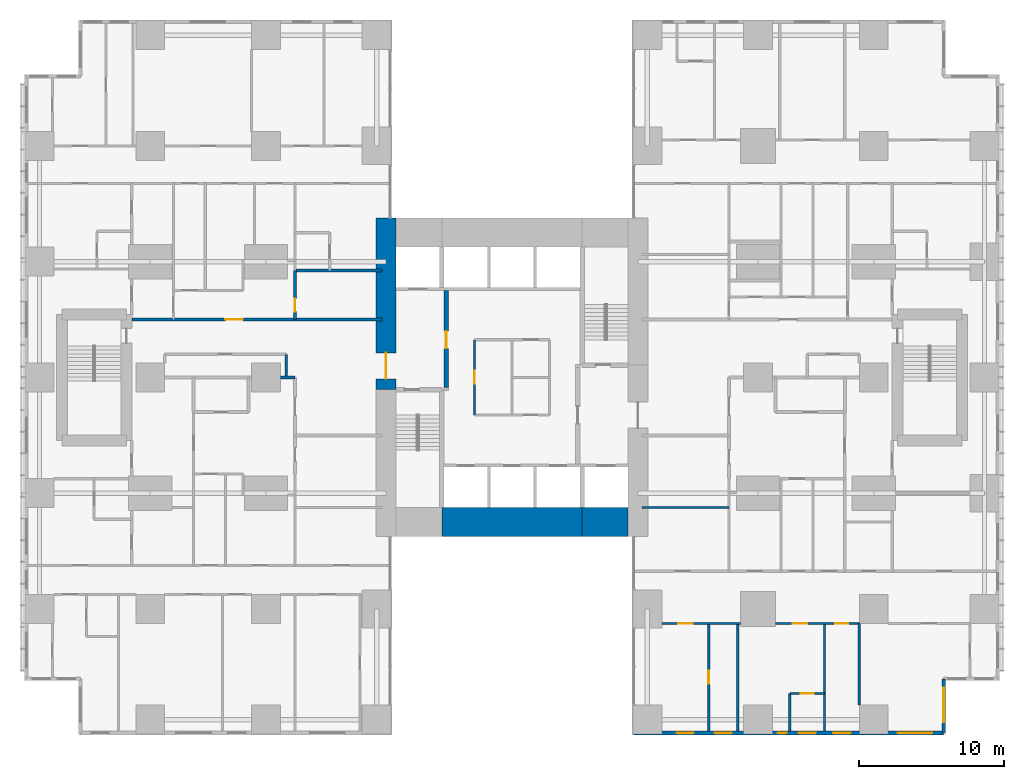
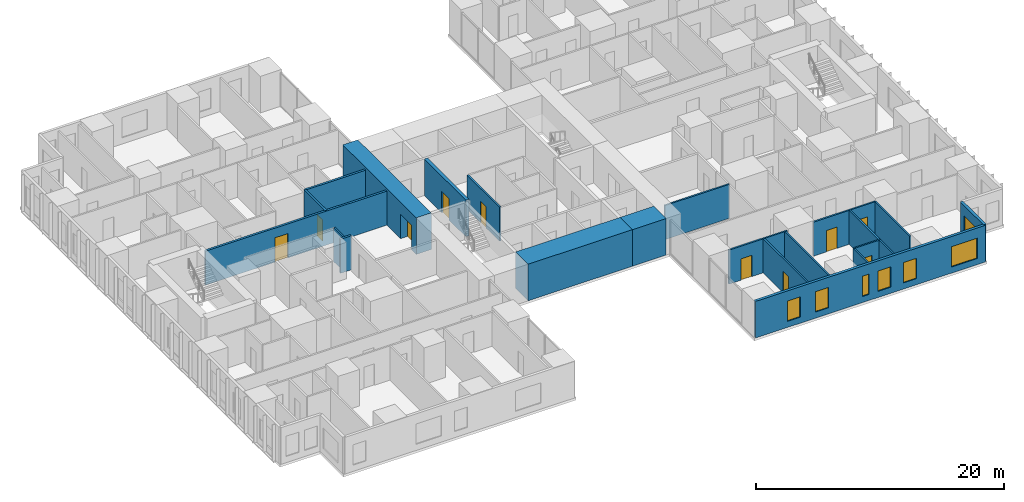
# One storey, part 14 of 20: 21 walls, 10 doors, 7 windows, 17 openings.
"""IFC4 building model written with IfcOpenShell, lengths in metres."""

import ifcopenshell
import ifcopenshell.guid

model = None  # the IFC model being written
_history = None  # IfcOwnerHistory: only IFC2X3 demands one
_inside = {}  # id of a spatial element -> (the spatial element, [elements in it])
_under = {}  # id of a project, library or spatial element -> (it, [spatial elements below it])
_declared = {}  # id of a project -> (the project, [libraries it declares])
_typed = {}  # id of a type object -> (the type object, [elements of that type])
_made_of = {}  # id of a material, layer set ... -> (it, [elements and type objects made of it])


def new_model(schema):
    """Start an empty IFC model of exactly this schema.

    Asked for "IFC4X3", IfcOpenShell would pick the latest addendum, in which some entities
    have other attributes; the version numbers below select the first issue.
    IFC2X3 requires an IfcOwnerHistory on every rooted entity: one is made here for all.
    """
    global model, _history
    if schema == "IFC4X3":
        model = ifcopenshell.file(schema_version=(4, 3, 0, 0))
    else:
        model = ifcopenshell.file(schema=schema)
    _inside.clear()
    _under.clear()
    _declared.clear()
    _typed.clear()
    _made_of.clear()
    _history = None
    if model.schema == "IFC2X3":
        org = make("IfcOrganization", Name="unknown")
        user = make(
            "IfcPersonAndOrganization",
            ThePerson=make("IfcPerson", FamilyName="unknown"),
            TheOrganization=org,
        )
        app = make(
            "IfcApplication",
            ApplicationDeveloper=org,
            Version="unknown",
            ApplicationFullName="unknown",
            ApplicationIdentifier="unknown",
        )
        _history = make(
            "IfcOwnerHistory",
            OwningUser=user,
            OwningApplication=app,
            ChangeAction="ADDED",
            CreationDate=0,
        )
    return model


def make(cls, **values):
    """One entity of the class cls with the attributes given. An attribute that is None is left unset."""
    return model.create_entity(
        cls, **{name: value for name, value in values.items() if value is not None}
    )


def rooted(cls, **values):
    """An entity with a GlobalId (a new one), such as an element, a storey or a relation."""
    return make(cls, GlobalId=ifcopenshell.guid.new(), OwnerHistory=_history, **values)


def si_unit(unit_type, name, prefix=None):
    """IfcSIUnit, for example si_unit("LENGTHUNIT", "METRE", prefix="MILLI")."""
    return make("IfcSIUnit", UnitType=unit_type, Prefix=prefix, Name=name)


def assignment(units):
    """IfcUnitAssignment: the units of a project."""
    return None if units is None else make("IfcUnitAssignment", Units=units)


def point(xyz):
    """IfcCartesianPoint."""
    return None if xyz is None else make("IfcCartesianPoint", Coordinates=xyz)


def direction(xyz):
    """IfcDirection."""
    return None if xyz is None else make("IfcDirection", DirectionRatios=xyz)


def frame(location, z_axis=None, x_axis=None):
    """IfcAxis2Placement3D, a coordinate frame: its origin and axes. An axis left out is left unset."""
    return make(
        "IfcAxis2Placement3D",
        Location=point(location),
        Axis=direction(z_axis),
        RefDirection=direction(x_axis),
    )


def frame_2d(location, x_axis=None):
    """IfcAxis2Placement2D, a coordinate frame in the plane: its origin and x axis."""
    return make(
        "IfcAxis2Placement2D", Location=point(location), RefDirection=direction(x_axis)
    )


def origin():
    """The frame at (0, 0, 0) with its axes left unset."""
    return frame((0.0, 0.0, 0.0))


def place(relative_to, where):
    """IfcLocalPlacement: puts the frame where relative to a parent placement (None: the world)."""
    return make(
        "IfcLocalPlacement", PlacementRelTo=relative_to, RelativePlacement=where
    )


def context(
    kind, dimensions, precision=None, world=None, true_north=None, identifier=None
):
    """IfcGeometricRepresentationContext, for example the 3D "Model" context."""
    return make(
        "IfcGeometricRepresentationContext",
        ContextIdentifier=identifier,
        ContextType=kind,
        CoordinateSpaceDimension=dimensions,
        Precision=precision,
        WorldCoordinateSystem=world,
        TrueNorth=true_north,
    )


def subcontext(parent, identifier, kind, view, scale=None):
    """IfcGeometricRepresentationSubContext, for example "Body" below "Model"."""
    return make(
        "IfcGeometricRepresentationSubContext",
        ContextIdentifier=identifier,
        ContextType=kind,
        ParentContext=parent,
        TargetScale=scale,
        TargetView=view,
    )


def project(units=None, contexts=None):
    """IfcProject with its units and contexts."""
    return rooted(
        "IfcProject",
        Name="project",
        RepresentationContexts=contexts,
        UnitsInContext=assignment(units),
    )


def spatial(cls, under=None, at=None, **own):
    """A site, building, storey or space (cls), placed at a placement, below another one or the project."""
    s = rooted(cls, ObjectPlacement=at, **own)
    if under is not None:
        _under.setdefault(under.id(), (under, []))[1].append(s)
    return s


def profile(cls, at=None, kind="AREA", **sizes):
    """A parametric profile (cls). Its sizes go by their IFC names, for example OverallWidth=200.0."""
    return make(cls, ProfileType=kind, Position=at, **sizes)


def rectangle(**sizes):
    """IfcRectangleProfileDef."""
    return profile("IfcRectangleProfileDef", **sizes)


def extrude(swept, where, along, depth):
    """IfcExtrudedAreaSolid: the profile swept, set in the frame where, extruded along a direction by depth."""
    return make(
        "IfcExtrudedAreaSolid",
        SweptArea=swept,
        Position=where,
        ExtrudedDirection=direction(along),
        Depth=depth,
    )


def shape(context_of_items, identifier, shape_type, items):
    """IfcShapeRepresentation: the items that make up one representation, for example the "Body"."""
    return make(
        "IfcShapeRepresentation",
        ContextOfItems=context_of_items,
        RepresentationIdentifier=identifier,
        RepresentationType=shape_type,
        Items=items,
    )


def material(Name=None, Category=None):
    """IfcMaterial."""
    return make("IfcMaterial", Name=Name, Category=Category)


def layer(
    of_material, thickness, ventilated=None, Name=None, Category=None, Priority=None
):
    """IfcMaterialLayer: one layer of a wall or slab, of a material (None: an air gap)."""
    return make(
        "IfcMaterialLayer",
        Material=of_material,
        LayerThickness=thickness,
        IsVentilated=ventilated,
        Name=Name,
        Category=Category,
        Priority=Priority,
    )


def layer_set(layers, Name=None):
    """IfcMaterialLayerSet."""
    return make("IfcMaterialLayerSet", MaterialLayers=layers, LayerSetName=Name)


def made_of(thing, what):
    """Note that an element or type object is made of a material, layer set ...; save() writes the relation."""
    if what is not None:
        _made_of.setdefault(what.id(), (what, []))[1].append(thing)
    return thing


def type_object(cls, material=None, **own):
    """A type object (cls), such as IfcWallType, which elements share."""
    return made_of(rooted(cls, **own), material)


def element(
    cls,
    number,
    at=None,
    inside=None,
    cuts=None,
    type_object=None,
    material=None,
    context=None,
    identifier="Body",
    shape_type=None,
    held_by="IfcProductDefinitionShape",
    body=None,
    shapes=None,
    **own,
):
    """One element of the class cls, such as IfcWall. Its Tag is "e" and its number.

    at: its placement. inside: the storey or other place that contains it. cuts: it is an
    opening in that element (IfcRelVoidsElement). A single representation is given by context,
    identifier, shape_type and body (its items); several are given by shapes. held_by: the class
    of the entity that holds the representations. save() writes the other relations.
    """
    e = rooted(cls, Tag="e%d" % number, ObjectPlacement=at, **own)
    if body is not None:
        shapes = [shape(context, identifier, shape_type, body)]
    if shapes is not None:
        e.Representation = make(held_by, Representations=shapes)
    if inside is not None:
        _inside.setdefault(inside.id(), (inside, []))[1].append(e)
    if cuts is not None:
        rooted(
            "IfcRelVoidsElement", RelatingBuildingElement=cuts, RelatedOpeningElement=e
        )
    if type_object is not None:
        _typed.setdefault(type_object.id(), (type_object, []))[1].append(e)
    return made_of(e, material)


def fill(opening, filler):
    """IfcRelFillsElement: the door or window that sits in an opening."""
    return rooted(
        "IfcRelFillsElement",
        RelatingOpeningElement=opening,
        RelatedBuildingElement=filler,
    )


def aggregate(whole, parts):
    """IfcRelAggregates: a whole, such as a stair, and the parts it consists of."""
    return rooted("IfcRelAggregates", RelatingObject=whole, RelatedObjects=parts)


def save(model, path):
    """Write the relations noted so far, then the file.

    IfcRelAggregates (storeys below a building ...), IfcRelContainedInSpatialStructure (elements
    in a storey), IfcRelDefinesByType, IfcRelAssociatesMaterial and IfcRelDeclares: one each for
    every whole, place, type object, material and project.
    """
    for whole, parts in _under.values():
        aggregate(whole, parts)
    for where, things in _inside.values():
        rooted(
            "IfcRelContainedInSpatialStructure",
            RelatedElements=things,
            RelatingStructure=where,
        )
    for kind, things in _typed.values():
        rooted("IfcRelDefinesByType", RelatedObjects=things, RelatingType=kind)
    for what, things in _made_of.values():
        rooted("IfcRelAssociatesMaterial", RelatedObjects=things, RelatingMaterial=what)
    for by, libraries in _declared.values():
        rooted("IfcRelDeclares", RelatingContext=by, RelatedDefinitions=libraries)
    model.write(path)


model = new_model("IFC4")

# Units and contexts
model_context = context("Model", 3, precision=1e-05, world=origin(), true_north=direction((0.0, 1.0)))
body_context = subcontext(model_context, "Body", "Model", "MODEL_VIEW")
ifc_project = project(units=[si_unit("LENGTHUNIT", "METRE"), si_unit("AREAUNIT", "SQUARE_METRE"), si_unit("VOLUMEUNIT", "CUBIC_METRE"), si_unit("PLANEANGLEUNIT", "RADIAN"), si_unit("MASSUNIT", "GRAM", prefix="KILO")], contexts=[model_context])

# Site, building, storey
site_placement = place(None, origin())
site = spatial("IfcSite", under=ifc_project, at=site_placement, CompositionType="ELEMENT")
building_placement = place(site_placement, origin())
building = spatial("IfcBuilding", under=site, at=building_placement, Name="Cleftline Residences", CompositionType="ELEMENT")
storey_placement = place(building_placement, frame((0.0, 0.0, 72.800048828125)))
storey = spatial("IfcBuildingStorey", under=building, at=storey_placement, Name="L18", CompositionType="ELEMENT", Elevation=72.800048828125)

# Wall, opening, door
ifc_material_1 = material(Name="Concrete B70", Category="concrete")
ifc_layer_1 = layer(ifc_material_1, 1.39990234375)
ifc_layer_set_1 = layer_set([ifc_layer_1], Name="CORE WALL 1400")
wall_type_1 = type_object("IfcWallType", Name="CORE WALL 1400", PredefinedType="SHEAR", material=ifc_layer_set_1)
wall_1_placement = place(storey_placement, frame((24.300048828125, 23.14990234375, 0.0), z_axis=(0.0, 0.0, 1.0), x_axis=(0.0, 1.0, 0.0)))
wall_1 = element("IfcWall", 1, at=wall_1_placement, inside=storey, type_object=wall_type_1, Name="Core wall W", PredefinedType="SHEAR", context=body_context, shape_type="SweptSolid", body=[
    extrude(rectangle(XDim=11.85009765625, YDim=1.39990234375, at=frame_2d((5.925048828125, 0.0))), origin(), (0.0, 0.0, 1.0), 3.599853515625),
])
opening_1_placement = place(wall_1_placement, frame((0.75, 0.0, 0.0)))
opening_1 = element("IfcOpeningElement", 2, at=opening_1_placement, cuts=wall_1, Name="Opening D7", PredefinedType="OPENING", context=body_context, shape_type="SweptSolid", body=[
    extrude(rectangle(XDim=1.800048828125, YDim=2.39990234375, at=frame_2d((0.89990234375, 1.199951171875))), frame((0.0, 0.7099609375, 0.0), z_axis=(0.0, -1.0, 0.0), x_axis=(1.0, 0.0, 0.0)), (0.0, 0.0, 1.0), 1.419921875),
])
ifc_material_2 = material(Name="Steel", Category="steel")
door_type_1 = type_object("IfcDoorType", Name="WING DOOR 1800X2400", OperationType="DOUBLE_DOOR_DOUBLE_SWING", PredefinedType="DOOR", material=ifc_material_2)
door_1_placement = place(opening_1_placement, origin())
door_1 = element("IfcDoor", 3, at=door_1_placement, inside=storey, type_object=door_type_1, Name="West wing door", OperationType="DOUBLE_DOOR_DOUBLE_SWING", OverallHeight=2.39990234375, OverallWidth=1.800048828125, PredefinedType="DOOR", context=body_context, shape_type="SweptSolid", body=[
    extrude(rectangle(XDim=1.800048828125, YDim=2.39990234375, at=frame_2d((0.89990234375, 1.199951171875))), frame((0.0, 0.02490234375, 0.0), z_axis=(0.0, -1.0, 0.0), x_axis=(1.0, 0.0, 0.0)), (0.0, 0.0, 1.0), 0.050048828125),
])
fill(opening_1, door_1)

# Walls
ifc_material_3 = material(Name="Concrete B70", Category="concrete")
ifc_layer_2 = layer(ifc_material_3, 2.0)
ifc_layer_set_2 = layer_set([ifc_layer_2], Name="CORE WALL 2000")
wall_type_2 = type_object("IfcWallType", Name="CORE WALL 2000", PredefinedType="SHEAR", material=ifc_layer_set_2)
wall_2_placement = place(storey_placement, frame((28.14990234375, 14.0, 0.0), z_axis=(0.0, 0.0, 1.0), x_axis=(1.0, 0.0, 0.0)))
element("IfcWall", 4, at=wall_2_placement, inside=storey, type_object=wall_type_2, Name="Core wall S2", PredefinedType="SHEAR", context=body_context, shape_type="SweptSolid", body=[
    extrude(rectangle(XDim=9.7001953125, YDim=2.0, at=frame_2d((4.85009765625, 0.0))), origin(), (0.0, 0.0, 1.0), 3.599853515625),
])
wall_3_placement = place(storey_placement, frame((37.85009765625, 14.0, 0.0), z_axis=(0.0, 0.0, 1.0), x_axis=(1.0, 0.0, 0.0)))
element("IfcWall", 5, at=wall_3_placement, inside=storey, type_object=wall_type_2, Name="Core wall S3", PredefinedType="SHEAR", context=body_context, shape_type="SweptSolid", body=[
    extrude(rectangle(XDim=3.14990234375, YDim=2.0, at=frame_2d((1.574951171875, 0.0))), origin(), (0.0, 0.0, 1.0), 3.599853515625),
])

# Wall, openings, windows
ifc_material_4 = material(Name="Rendered reinforced concrete blockwork", Category="masonry")
ifc_layer_3 = layer(ifc_material_4, 0.25)
ifc_layer_set_3 = layer_set([ifc_layer_3], Name="EXTERNAL WALL 250")
wall_type_3 = type_object("IfcWallType", Name="EXTERNAL WALL 250", PredefinedType="SOLIDWALL", material=ifc_layer_set_3)
wall_4_placement = place(storey_placement, frame((41.425048828125, -0.574951171875, 0.0), z_axis=(0.0, 0.0, 1.0), x_axis=(1.0, 0.0, 0.0)))
wall_4 = element("IfcWall", 6, at=wall_4_placement, inside=storey, type_object=wall_type_3, Name="External wall", PredefinedType="SOLIDWALL", context=body_context, shape_type="SweptSolid", body=[
    extrude(rectangle(XDim=21.39990234375, YDim=0.25, at=frame_2d((10.699951171875, 0.0))), origin(), (0.0, 0.0, 1.0), 3.599853515625),
])
opening_2_placement = place(wall_4_placement, frame((2.949951171875, 0.0, 0.60009765625)))
opening_2 = element("IfcOpeningElement", 7, at=opening_2_placement, cuts=wall_4, Name="Opening W8", PredefinedType="OPENING", context=body_context, shape_type="SweptSolid", body=[
    extrude(rectangle(XDim=1.199951171875, YDim=2.0, at=frame_2d((0.60009765625, 1.0))), frame((0.0, 0.135009765625, 0.0), z_axis=(0.0, -1.0, 0.0), x_axis=(1.0, 0.0, 0.0)), (0.0, 0.0, 1.0), 0.27001953125),
])
opening_3_placement = place(wall_4_placement, frame((5.574951171875, 0.0, 0.60009765625)))
opening_3 = element("IfcOpeningElement", 8, at=opening_3_placement, cuts=wall_4, Name="Opening W8", PredefinedType="OPENING", context=body_context, shape_type="SweptSolid", body=[
    extrude(rectangle(XDim=1.199951171875, YDim=2.0, at=frame_2d((0.60009765625, 1.0))), frame((0.0, 0.135009765625, 0.0), z_axis=(0.0, -1.0, 0.0), x_axis=(1.0, 0.0, 0.0)), (0.0, 0.0, 1.0), 0.27001953125),
])
opening_4_placement = place(wall_4_placement, frame((9.949951171875, 0.0, 0.60009765625)))
opening_4 = element("IfcOpeningElement", 9, at=opening_4_placement, cuts=wall_4, Name="Opening W7", PredefinedType="OPENING", context=body_context, shape_type="SweptSolid", body=[
    extrude(rectangle(XDim=0.60009765625, YDim=2.0, at=frame_2d((0.300048828125, 1.0))), frame((0.0, 0.135009765625, 0.0), z_axis=(0.0, -1.0, 0.0), x_axis=(1.0, 0.0, 0.0)), (0.0, 0.0, 1.0), 0.27001953125),
])
opening_5_placement = place(wall_4_placement, frame((11.375, 0.0, 0.60009765625)))
opening_5 = element("IfcOpeningElement", 10, at=opening_5_placement, cuts=wall_4, Name="Opening W8", PredefinedType="OPENING", context=body_context, shape_type="SweptSolid", body=[
    extrude(rectangle(XDim=1.199951171875, YDim=2.0, at=frame_2d((0.60009765625, 1.0))), frame((0.0, 0.135009765625, 0.0), z_axis=(0.0, -1.0, 0.0), x_axis=(1.0, 0.0, 0.0)), (0.0, 0.0, 1.0), 0.27001953125),
])
opening_6_placement = place(wall_4_placement, frame((13.77490234375, 0.0, 0.60009765625)))
opening_6 = element("IfcOpeningElement", 11, at=opening_6_placement, cuts=wall_4, Name="Opening W8", PredefinedType="OPENING", context=body_context, shape_type="SweptSolid", body=[
    extrude(rectangle(XDim=1.199951171875, YDim=2.0, at=frame_2d((0.60009765625, 1.0))), frame((0.0, 0.135009765625, 0.0), z_axis=(0.0, -1.0, 0.0), x_axis=(1.0, 0.0, 0.0)), (0.0, 0.0, 1.0), 0.27001953125),
])
opening_7_placement = place(wall_4_placement, frame((18.22509765625, 0.0, 0.60009765625)))
opening_7 = element("IfcOpeningElement", 12, at=opening_7_placement, cuts=wall_4, Name="Opening W6", PredefinedType="OPENING", context=body_context, shape_type="SweptSolid", body=[
    extrude(rectangle(XDim=2.39990234375, YDim=2.0, at=frame_2d((1.199951171875, 1.0))), frame((0.0, 0.135009765625, 0.0), z_axis=(0.0, -1.0, 0.0), x_axis=(1.0, 0.0, 0.0)), (0.0, 0.0, 1.0), 0.27001953125),
])
ifc_material_5 = material(Name="Aluminium frame, clear double glazing", Category="aluminium")
window_type_1 = type_object("IfcWindowType", Name="WINDOW 1200X2000", PartitioningType="DOUBLE_PANEL_VERTICAL", PredefinedType="WINDOW", material=ifc_material_5)
window_1_placement = place(opening_2_placement, origin())
window_1 = element("IfcWindow", 13, at=window_1_placement, inside=storey, type_object=window_type_1, Name="Window", OverallHeight=2.0, OverallWidth=1.199951171875, PartitioningType="SINGLE_PANEL", PredefinedType="WINDOW", context=body_context, shape_type="SweptSolid", body=[
    extrude(rectangle(XDim=1.199951171875, YDim=2.0, at=frame_2d((0.60009765625, 1.0))), frame((0.0, 0.030029296875, 0.0), z_axis=(0.0, -1.0, 0.0), x_axis=(1.0, 0.0, 0.0)), (0.0, 0.0, 1.0), 0.06005859375),
])
fill(opening_2, window_1)
window_2_placement = place(opening_3_placement, origin())
window_2 = element("IfcWindow", 14, at=window_2_placement, inside=storey, type_object=window_type_1, Name="Window", OverallHeight=2.0, OverallWidth=1.199951171875, PartitioningType="SINGLE_PANEL", PredefinedType="WINDOW", context=body_context, shape_type="SweptSolid", body=[
    extrude(rectangle(XDim=1.199951171875, YDim=2.0, at=frame_2d((0.60009765625, 1.0))), frame((0.0, 0.030029296875, 0.0), z_axis=(0.0, -1.0, 0.0), x_axis=(1.0, 0.0, 0.0)), (0.0, 0.0, 1.0), 0.06005859375),
])
fill(opening_3, window_2)
window_3_placement = place(opening_5_placement, origin())
window_3 = element("IfcWindow", 15, at=window_3_placement, inside=storey, type_object=window_type_1, Name="Window", OverallHeight=2.0, OverallWidth=1.199951171875, PartitioningType="SINGLE_PANEL", PredefinedType="WINDOW", context=body_context, shape_type="SweptSolid", body=[
    extrude(rectangle(XDim=1.199951171875, YDim=2.0, at=frame_2d((0.60009765625, 1.0))), frame((0.0, 0.030029296875, 0.0), z_axis=(0.0, -1.0, 0.0), x_axis=(1.0, 0.0, 0.0)), (0.0, 0.0, 1.0), 0.06005859375),
])
fill(opening_5, window_3)
window_4_placement = place(opening_6_placement, origin())
window_4 = element("IfcWindow", 16, at=window_4_placement, inside=storey, type_object=window_type_1, Name="Window", OverallHeight=2.0, OverallWidth=1.199951171875, PartitioningType="SINGLE_PANEL", PredefinedType="WINDOW", context=body_context, shape_type="SweptSolid", body=[
    extrude(rectangle(XDim=1.199951171875, YDim=2.0, at=frame_2d((0.60009765625, 1.0))), frame((0.0, 0.030029296875, 0.0), z_axis=(0.0, -1.0, 0.0), x_axis=(1.0, 0.0, 0.0)), (0.0, 0.0, 1.0), 0.06005859375),
])
fill(opening_6, window_4)
ifc_material_6 = material(Name="Aluminium frame, clear double glazing", Category="aluminium")
window_type_2 = type_object("IfcWindowType", Name="WINDOW 2400X2000", PartitioningType="DOUBLE_PANEL_VERTICAL", PredefinedType="WINDOW", material=ifc_material_6)
window_5_placement = place(opening_7_placement, origin())
window_5 = element("IfcWindow", 17, at=window_5_placement, inside=storey, type_object=window_type_2, Name="Window", OverallHeight=2.0, OverallWidth=2.39990234375, PartitioningType="SINGLE_PANEL", PredefinedType="WINDOW", context=body_context, shape_type="SweptSolid", body=[
    extrude(rectangle(XDim=2.39990234375, YDim=2.0, at=frame_2d((1.199951171875, 1.0))), frame((0.0, 0.030029296875, 0.0), z_axis=(0.0, -1.0, 0.0), x_axis=(1.0, 0.0, 0.0)), (0.0, 0.0, 1.0), 0.06005859375),
])
fill(opening_7, window_5)
ifc_material_7 = material(Name="Aluminium frame, clear double glazing", Category="aluminium")
window_type_3 = type_object("IfcWindowType", Name="WINDOW 600X2000", PartitioningType="DOUBLE_PANEL_VERTICAL", PredefinedType="WINDOW", material=ifc_material_7)
window_6_placement = place(opening_4_placement, origin())
window_6 = element("IfcWindow", 18, at=window_6_placement, inside=storey, type_object=window_type_3, Name="Window", OverallHeight=2.0, OverallWidth=0.60009765625, PartitioningType="SINGLE_PANEL", PredefinedType="WINDOW", context=body_context, shape_type="SweptSolid", body=[
    extrude(rectangle(XDim=0.60009765625, YDim=2.0, at=frame_2d((0.300048828125, 1.0))), frame((0.0, 0.030029296875, 0.0), z_axis=(0.0, -1.0, 0.0), x_axis=(1.0, 0.0, 0.0)), (0.0, 0.0, 1.0), 0.06005859375),
])
fill(opening_4, window_6)

# Wall, opening, window
wall_5_placement = place(storey_placement, frame((62.824951171875, -0.574951171875, 0.0), z_axis=(0.0, 0.0, 1.0), x_axis=(0.0, 1.0, 0.0)))
wall_5 = element("IfcWall", 19, at=wall_5_placement, inside=storey, type_object=wall_type_3, Name="External wall", PredefinedType="SOLIDWALL", context=body_context, shape_type="SweptSolid", body=[
    extrude(rectangle(XDim=3.75, YDim=0.25, at=frame_2d((1.875, 0.0))), origin(), (0.0, 0.0, 1.0), 3.599853515625),
])
opening_8_placement = place(wall_5_placement, frame((0.737548828125, 0.0, 0.60009765625)))
opening_8 = element("IfcOpeningElement", 20, at=opening_8_placement, cuts=wall_5, Name="Opening W6", PredefinedType="OPENING", context=body_context, shape_type="SweptSolid", body=[
    extrude(rectangle(XDim=2.39990234375, YDim=2.0, at=frame_2d((1.199951171875, 1.0))), frame((0.0, 0.135009765625, 0.0), z_axis=(0.0, -1.0, 0.0), x_axis=(1.0, 0.0, 0.0)), (0.0, 0.0, 1.0), 0.27001953125),
])
window_7_placement = place(opening_8_placement, origin())
window_7 = element("IfcWindow", 21, at=window_7_placement, inside=storey, type_object=window_type_2, Name="Window", OverallHeight=2.0, OverallWidth=2.39990234375, PartitioningType="SINGLE_PANEL", PredefinedType="WINDOW", context=body_context, shape_type="SweptSolid", body=[
    extrude(rectangle(XDim=2.39990234375, YDim=2.0, at=frame_2d((1.199951171875, 1.0))), frame((0.0, 0.030029296875, 0.0), z_axis=(0.0, -1.0, 0.0), x_axis=(1.0, 0.0, 0.0)), (0.0, 0.0, 1.0), 0.06005859375),
])
fill(opening_8, window_7)

# Wall
ifc_material_8 = material(Name="Concrete blockwork, fire rated", Category="masonry")
ifc_layer_4 = layer(ifc_material_8, 0.199951171875)
ifc_layer_set_4 = layer_set([ifc_layer_4], Name="FIRE WALL 200")
wall_type_4 = type_object("IfcWallType", Name="FIRE WALL 200", PredefinedType="PARTITIONING", material=ifc_layer_set_4)
wall_6_placement = place(storey_placement, frame((17.0, 24.0, 0.0), z_axis=(0.0, 0.0, 1.0), x_axis=(1.0, 0.0, 0.0)))
element("IfcWall", 22, at=wall_6_placement, inside=storey, type_object=wall_type_4, Name="Fire separating wall", PredefinedType="PARTITIONING", context=body_context, shape_type="SweptSolid", body=[
    extrude(rectangle(XDim=1.0, YDim=0.199951171875, at=frame_2d((0.5, 0.0))), origin(), (0.0, 0.0, 1.0), 3.349853515625),
])

# Wall, opening, door
wall_7_placement = place(storey_placement, frame((6.72509765625, 28.0, 0.0), z_axis=(0.0, 0.0, 1.0), x_axis=(1.0, 0.0, 0.0)))
wall_7 = element("IfcWall", 23, at=wall_7_placement, inside=storey, type_object=wall_type_4, Name="Fire separating wall", PredefinedType="PARTITIONING", context=body_context, shape_type="SweptSolid", body=[
    extrude(rectangle(XDim=17.27490234375, YDim=0.199951171875, at=frame_2d((8.637451171875, 0.0))), origin(), (0.0, 0.0, 1.0), 3.349853515625),
])
opening_9_placement = place(wall_7_placement, frame((6.47509765625, 0.0, 0.0)))
opening_9 = element("IfcOpeningElement", 24, at=opening_9_placement, cuts=wall_7, Name="Opening D4", PredefinedType="OPENING", context=body_context, shape_type="SweptSolid", body=[
    extrude(rectangle(XDim=1.199951171875, YDim=2.39990234375, at=frame_2d((0.60009765625, 1.199951171875))), frame((0.0, 0.10986328125, 0.0), z_axis=(0.0, -1.0, 0.0), x_axis=(1.0, 0.0, 0.0)), (0.0, 0.0, 1.0), 0.219970703125),
])
ifc_material_9 = material(Name="Timber veneer on solid core", Category="wood")
door_type_2 = type_object("IfcDoorType", Name="APARTMENT ENTRANCE DOOR 1200X2400", OperationType="SINGLE_SWING_RIGHT", PredefinedType="DOOR", material=ifc_material_9)
door_2_placement = place(opening_9_placement, origin())
door_2 = element("IfcDoor", 25, at=door_2_placement, inside=storey, type_object=door_type_2, Name="Door to residence entrance foyer", OperationType="SINGLE_SWING_RIGHT", OverallHeight=2.39990234375, OverallWidth=1.199951171875, PredefinedType="DOOR", context=body_context, shape_type="SweptSolid", body=[
    extrude(rectangle(XDim=1.199951171875, YDim=2.39990234375, at=frame_2d((0.60009765625, 1.199951171875))), frame((0.0, 0.02490234375, 0.0), z_axis=(0.0, -1.0, 0.0), x_axis=(1.0, 0.0, 0.0)), (0.0, 0.0, 1.0), 0.050048828125),
])
fill(opening_9, door_2)

# Wall
wall_8_placement = place(storey_placement, frame((18.0, 31.39990234375, 0.0), z_axis=(0.0, 0.0, 1.0), x_axis=(1.0, 0.0, 0.0)))
element("IfcWall", 26, at=wall_8_placement, inside=storey, type_object=wall_type_4, Name="Fire separating wall", PredefinedType="PARTITIONING", context=body_context, shape_type="SweptSolid", body=[
    extrude(rectangle(XDim=6.0, YDim=0.199951171875, at=frame_2d((3.0, 0.0))), origin(), (0.0, 0.0, 1.0), 3.349853515625),
])

# Wall, opening, door
wall_9_placement = place(storey_placement, frame((18.0, 28.0, 0.0), z_axis=(0.0, 0.0, 1.0), x_axis=(0.0, 1.0, 0.0)))
wall_9 = element("IfcWall", 27, at=wall_9_placement, inside=storey, type_object=wall_type_4, Name="Fire separating wall", PredefinedType="PARTITIONING", context=body_context, shape_type="SweptSolid", body=[
    extrude(rectangle(XDim=3.39990234375, YDim=0.199951171875, at=frame_2d((1.699951171875, 0.0))), origin(), (0.0, 0.0, 1.0), 3.349853515625),
])
opening_10_placement = place(wall_9_placement, frame((0.550048828125, 0.0, 0.0)))
opening_10 = element("IfcOpeningElement", 28, at=opening_10_placement, cuts=wall_9, Name="Opening D1F30", PredefinedType="OPENING", context=body_context, shape_type="SweptSolid", body=[
    extrude(rectangle(XDim=0.89990234375, YDim=2.10009765625, at=frame_2d((0.449951171875, 1.050048828125))), frame((0.0, 0.10986328125, 0.0), z_axis=(0.0, -1.0, 0.0), x_axis=(1.0, 0.0, 0.0)), (0.0, 0.0, 1.0), 0.219970703125),
])
ifc_material_10 = material(Name="Timber veneer on solid core", Category="wood")
door_type_3 = type_object("IfcDoorType", Name="DOOR 900X2100 EI 30", OperationType="SINGLE_SWING_LEFT", PredefinedType="DOOR", material=ifc_material_10)
door_3_placement = place(opening_10_placement, origin())
door_3 = element("IfcDoor", 29, at=door_3_placement, inside=storey, type_object=door_type_3, Name="Door to drying loggia and wc", OperationType="SINGLE_SWING_RIGHT", OverallHeight=2.10009765625, OverallWidth=0.89990234375, PredefinedType="DOOR", context=body_context, shape_type="SweptSolid", body=[
    extrude(rectangle(XDim=0.89990234375, YDim=2.10009765625, at=frame_2d((0.449951171875, 1.050048828125))), frame((0.0, 0.02490234375, 0.0), z_axis=(0.0, -1.0, 0.0), x_axis=(1.0, 0.0, 0.0)), (0.0, 0.0, 1.0), 0.050048828125),
])
fill(opening_10, door_3)

ifc_material_11 = material(Name="Gypsum board on steel studs", Category="steel")
ifc_layer_5 = layer(ifc_material_11, 0.14990234375)
ifc_layer_set_5 = layer_set([ifc_layer_5], Name="PARTITION 150")
wall_type_5 = type_object("IfcWallType", Name="PARTITION 150", PredefinedType="PARTITIONING", material=ifc_layer_set_5)
wall_10_placement = place(storey_placement, frame((52.199951171875, 2.14990234375, 0.0), z_axis=(0.0, 0.0, 1.0), x_axis=(1.0, 0.0, 0.0)))
wall_10 = element("IfcWall", 30, at=wall_10_placement, inside=storey, type_object=wall_type_5, Name="Partition", PredefinedType="PARTITIONING", context=body_context, shape_type="SweptSolid", body=[
    extrude(rectangle(XDim=2.400146484375, YDim=0.14990234375, at=frame_2d((1.2001953125, 0.0))), origin(), (0.0, 0.0, 1.0), 3.349853515625),
])
opening_11_placement = place(wall_10_placement, frame((0.75, 0.0, 0.0)))
opening_11 = element("IfcOpeningElement", 31, at=opening_11_placement, cuts=wall_10, Name="Opening D1", PredefinedType="OPENING", context=body_context, shape_type="SweptSolid", body=[
    extrude(rectangle(XDim=0.89990234375, YDim=2.10009765625, at=frame_2d((0.449951171875, 1.050048828125))), frame((0.0, 0.0849609375, 0.0), z_axis=(0.0, -1.0, 0.0), x_axis=(1.0, 0.0, 0.0)), (0.0, 0.0, 1.0), 0.169921875),
])
ifc_material_12 = material(Name="Timber veneer on solid core", Category="wood")
door_type_4 = type_object("IfcDoorType", Name="DOOR 900X2100", OperationType="SINGLE_SWING_LEFT", PredefinedType="DOOR", material=ifc_material_12)
door_4_placement = place(opening_11_placement, origin())
door_4 = element("IfcDoor", 32, at=door_4_placement, inside=storey, type_object=door_type_4, Name="Door to en-suite bathroom 2", OperationType="SINGLE_SWING_LEFT", OverallHeight=2.10009765625, OverallWidth=0.89990234375, PredefinedType="DOOR", context=body_context, shape_type="SweptSolid", body=[
    extrude(rectangle(XDim=0.89990234375, YDim=2.10009765625, at=frame_2d((0.449951171875, 1.050048828125))), frame((0.0, 0.02490234375, 0.0), z_axis=(0.0, -1.0, 0.0), x_axis=(1.0, 0.0, 0.0)), (0.0, 0.0, 1.0), 0.050048828125),
])
fill(opening_11, door_4)

wall_11_placement = place(storey_placement, frame((43.35009765625, 7.0, 0.0), z_axis=(0.0, 0.0, 1.0), x_axis=(1.0, 0.0, 0.0)))
wall_11 = element("IfcWall", 33, at=wall_11_placement, inside=storey, type_object=wall_type_5, Name="Partition", PredefinedType="PARTITIONING", context=body_context, shape_type="SweptSolid", body=[
    extrude(rectangle(XDim=5.449951171875, YDim=0.14990234375, at=frame_2d((2.72509765625, 0.0))), origin(), (0.0, 0.0, 1.0), 3.349853515625),
])
opening_12_placement = place(wall_11_placement, frame((1.125, 0.0, 0.0)))
opening_12 = element("IfcOpeningElement", 34, at=opening_12_placement, cuts=wall_11, Name="Opening D2", PredefinedType="OPENING", context=body_context, shape_type="SweptSolid", body=[
    extrude(rectangle(XDim=1.0, YDim=2.10009765625, at=frame_2d((0.5, 1.050048828125))), frame((0.0, 0.0849609375, 0.0), z_axis=(0.0, -1.0, 0.0), x_axis=(1.0, 0.0, 0.0)), (0.0, 0.0, 1.0), 0.169921875),
])
ifc_material_13 = material(Name="Timber veneer on solid core", Category="wood")
door_type_5 = type_object("IfcDoorType", Name="DOOR 1000X2100", OperationType="SINGLE_SWING_LEFT", PredefinedType="DOOR", material=ifc_material_13)
door_5_placement = place(opening_12_placement, origin())
door_5 = element("IfcDoor", 35, at=door_5_placement, inside=storey, type_object=door_type_5, Name="Door to bedroom 3", OperationType="SINGLE_SWING_RIGHT", OverallHeight=2.10009765625, OverallWidth=1.0, PredefinedType="DOOR", context=body_context, shape_type="SweptSolid", body=[
    extrude(rectangle(XDim=1.0, YDim=2.10009765625, at=frame_2d((0.5, 1.050048828125))), frame((0.0, 0.02490234375, 0.0), z_axis=(0.0, -1.0, 0.0), x_axis=(1.0, 0.0, 0.0)), (0.0, 0.0, 1.0), 0.050048828125),
])
fill(opening_12, door_5)

# Wall, openings, doors
wall_12_placement = place(storey_placement, frame((51.199951171875, 7.0, 0.0), z_axis=(0.0, 0.0, 1.0), x_axis=(1.0, 0.0, 0.0)))
wall_12 = element("IfcWall", 36, at=wall_12_placement, inside=storey, type_object=wall_type_5, Name="Partition", PredefinedType="PARTITIONING", context=body_context, shape_type="SweptSolid", body=[
    extrude(rectangle(XDim=5.800048828125, YDim=0.14990234375, at=frame_2d((2.89990234375, 0.0))), origin(), (0.0, 0.0, 1.0), 3.349853515625),
])
opening_13_placement = place(wall_12_placement, frame((4.14990234375, 0.0, 0.0)))
opening_13 = element("IfcOpeningElement", 37, at=opening_13_placement, cuts=wall_12, Name="Opening D1", PredefinedType="OPENING", context=body_context, shape_type="SweptSolid", body=[
    extrude(rectangle(XDim=0.89990234375, YDim=2.10009765625, at=frame_2d((0.449951171875, 1.050048828125))), frame((0.0, 0.0849609375, 0.0), z_axis=(0.0, -1.0, 0.0), x_axis=(1.0, 0.0, 0.0)), (0.0, 0.0, 1.0), 0.169921875),
])
opening_14_placement = place(wall_12_placement, frame((1.199951171875, 0.0, 0.0)))
opening_14 = element("IfcOpeningElement", 38, at=opening_14_placement, cuts=wall_12, Name="Opening D2", PredefinedType="OPENING", context=body_context, shape_type="SweptSolid", body=[
    extrude(rectangle(XDim=1.0, YDim=2.10009765625, at=frame_2d((0.5, 1.050048828125))), frame((0.0, 0.0849609375, 0.0), z_axis=(0.0, -1.0, 0.0), x_axis=(1.0, 0.0, 0.0)), (0.0, 0.0, 1.0), 0.169921875),
])
door_6_placement = place(opening_14_placement, origin())
door_6 = element("IfcDoor", 39, at=door_6_placement, inside=storey, type_object=door_type_5, Name="Door to bedroom 2", OperationType="SINGLE_SWING_RIGHT", OverallHeight=2.10009765625, OverallWidth=1.0, PredefinedType="DOOR", context=body_context, shape_type="SweptSolid", body=[
    extrude(rectangle(XDim=1.0, YDim=2.10009765625, at=frame_2d((0.5, 1.050048828125))), frame((0.0, 0.02490234375, 0.0), z_axis=(0.0, -1.0, 0.0), x_axis=(1.0, 0.0, 0.0)), (0.0, 0.0, 1.0), 0.050048828125),
])
fill(opening_14, door_6)
door_7_placement = place(opening_13_placement, origin())
door_7 = element("IfcDoor", 40, at=door_7_placement, inside=storey, type_object=door_type_4, Name="Door to master dressing room", OperationType="SINGLE_SWING_LEFT", OverallHeight=2.10009765625, OverallWidth=0.89990234375, PredefinedType="DOOR", context=body_context, shape_type="SweptSolid", body=[
    extrude(rectangle(XDim=0.89990234375, YDim=2.10009765625, at=frame_2d((0.449951171875, 1.050048828125))), frame((0.0, 0.02490234375, 0.0), z_axis=(0.0, -1.0, 0.0), x_axis=(1.0, 0.0, 0.0)), (0.0, 0.0, 1.0), 0.050048828125),
])
fill(opening_13, door_7)

# Walls
wall_13_placement = place(storey_placement, frame((42.0, 15.0, 0.0), z_axis=(0.0, 0.0, 1.0), x_axis=(1.0, 0.0, 0.0)))
element("IfcWall", 41, at=wall_13_placement, inside=storey, type_object=wall_type_5, Name="Partition", PredefinedType="PARTITIONING", context=body_context, shape_type="SweptSolid", body=[
    extrude(rectangle(XDim=6.0, YDim=0.14990234375, at=frame_2d((3.0, 0.0))), origin(), (0.0, 0.0, 1.0), 3.349853515625),
])
wall_14_placement = place(storey_placement, frame((17.39990234375, 24.0, 0.0), z_axis=(0.0, 0.0, 1.0), x_axis=(0.0, 1.0, 0.0)))
element("IfcWall", 42, at=wall_14_placement, inside=storey, type_object=wall_type_5, Name="Partition", PredefinedType="PARTITIONING", context=body_context, shape_type="SweptSolid", body=[
    extrude(rectangle(XDim=1.60009765625, YDim=0.14990234375, at=frame_2d((0.800048828125, 0.0))), origin(), (0.0, 0.0, 1.0), 3.349853515625),
])

# Wall, opening, door
wall_15_placement = place(storey_placement, frame((46.60009765625, -0.449951171875, 0.0), z_axis=(0.0, 0.0, 1.0), x_axis=(0.0, 1.0, 0.0)))
wall_15 = element("IfcWall", 43, at=wall_15_placement, inside=storey, type_object=wall_type_5, Name="Partition", PredefinedType="PARTITIONING", context=body_context, shape_type="SweptSolid", body=[
    extrude(rectangle(XDim=7.449951171875, YDim=0.14990234375, at=frame_2d((3.72509765625, 0.0))), origin(), (0.0, 0.0, 1.0), 3.349853515625),
])
opening_15_placement = place(wall_15_placement, frame((3.27490234375, 0.0, 0.0)))
opening_15 = element("IfcOpeningElement", 44, at=opening_15_placement, cuts=wall_15, Name="Opening D1", PredefinedType="OPENING", context=body_context, shape_type="SweptSolid", body=[
    extrude(rectangle(XDim=0.89990234375, YDim=2.10009765625, at=frame_2d((0.449951171875, 1.050048828125))), frame((0.0, 0.0849609375, 0.0), z_axis=(0.0, -1.0, 0.0), x_axis=(1.0, 0.0, 0.0)), (0.0, 0.0, 1.0), 0.169921875),
])
door_8_placement = place(opening_15_placement, origin())
door_8 = element("IfcDoor", 45, at=door_8_placement, inside=storey, type_object=door_type_4, Name="Door to en-suite bathroom 3", OperationType="SINGLE_SWING_LEFT", OverallHeight=2.10009765625, OverallWidth=0.89990234375, PredefinedType="DOOR", context=body_context, shape_type="SweptSolid", body=[
    extrude(rectangle(XDim=0.89990234375, YDim=2.10009765625, at=frame_2d((0.449951171875, 1.050048828125))), frame((0.0, 0.02490234375, 0.0), z_axis=(0.0, -1.0, 0.0), x_axis=(1.0, 0.0, 0.0)), (0.0, 0.0, 1.0), 0.050048828125),
])
fill(opening_15, door_8)

# Walls
wall_16_placement = place(storey_placement, frame((48.60009765625, -0.449951171875, 0.0), z_axis=(0.0, 0.0, 1.0), x_axis=(0.0, 1.0, 0.0)))
element("IfcWall", 46, at=wall_16_placement, inside=storey, type_object=wall_type_5, Name="Partition", PredefinedType="PARTITIONING", context=body_context, shape_type="SweptSolid", body=[
    extrude(rectangle(XDim=7.449951171875, YDim=0.14990234375, at=frame_2d((3.72509765625, 0.0))), origin(), (0.0, 0.0, 1.0), 3.349853515625),
])
wall_17_placement = place(storey_placement, frame((52.199951171875, -0.449951171875, 0.0), z_axis=(0.0, 0.0, 1.0), x_axis=(0.0, 1.0, 0.0)))
element("IfcWall", 47, at=wall_17_placement, inside=storey, type_object=wall_type_5, Name="Partition", PredefinedType="PARTITIONING", context=body_context, shape_type="SweptSolid", body=[
    extrude(rectangle(XDim=2.599853515625, YDim=0.14990234375, at=frame_2d((1.2998046875, 0.0))), origin(), (0.0, 0.0, 1.0), 3.349853515625),
])
wall_18_placement = place(storey_placement, frame((54.60009765625, -0.449951171875, 0.0), z_axis=(0.0, 0.0, 1.0), x_axis=(0.0, 1.0, 0.0)))
element("IfcWall", 48, at=wall_18_placement, inside=storey, type_object=wall_type_5, Name="Partition", PredefinedType="PARTITIONING", context=body_context, shape_type="SweptSolid", body=[
    extrude(rectangle(XDim=7.449951171875, YDim=0.14990234375, at=frame_2d((3.72509765625, 0.0))), origin(), (0.0, 0.0, 1.0), 3.349853515625),
])
wall_19_placement = place(storey_placement, frame((57.0, 1.35009765625, 0.0), z_axis=(0.0, 0.0, 1.0), x_axis=(0.0, 1.0, 0.0)))
element("IfcWall", 49, at=wall_19_placement, inside=storey, type_object=wall_type_5, Name="Partition", PredefinedType="PARTITIONING", context=body_context, shape_type="SweptSolid", body=[
    extrude(rectangle(XDim=5.64990234375, YDim=0.14990234375, at=frame_2d((2.824951171875, 0.0))), origin(), (0.0, 0.0, 1.0), 3.349853515625),
])

# Wall, opening, door
ifc_material_14 = material(Name="Fire-resisting gypsum board on steel studs", Category="steel")
ifc_layer_6 = layer(ifc_material_14, 0.14990234375)
ifc_layer_set_6 = layer_set([ifc_layer_6], Name="PARTITION 150 EI 60")
wall_type_6 = type_object("IfcWallType", Name="PARTITION 150 EI 60", PredefinedType="PARTITIONING", material=ifc_layer_set_6)
wall_20_placement = place(storey_placement, frame((30.39990234375, 21.39990234375, 0.0), z_axis=(0.0, 0.0, 1.0), x_axis=(0.0, 1.0, 0.0)))
wall_20 = element("IfcWall", 50, at=wall_20_placement, inside=storey, type_object=wall_type_6, Name="Core room partition", PredefinedType="PARTITIONING", context=body_context, shape_type="SweptSolid", body=[
    extrude(rectangle(XDim=5.2001953125, YDim=0.14990234375, at=frame_2d((2.60009765625, 0.0))), origin(), (0.0, 0.0, 1.0), 3.349853515625),
])
opening_16_placement = place(wall_20_placement, frame((2.14990234375, 0.0, 0.0)))
opening_16 = element("IfcOpeningElement", 51, at=opening_16_placement, cuts=wall_20, Name="Opening D1F30", PredefinedType="OPENING", context=body_context, shape_type="SweptSolid", body=[
    extrude(rectangle(XDim=0.89990234375, YDim=2.10009765625, at=frame_2d((0.449951171875, 1.050048828125))), frame((0.0, 0.0849609375, 0.0), z_axis=(0.0, -1.0, 0.0), x_axis=(1.0, 0.0, 0.0)), (0.0, 0.0, 1.0), 0.169921875),
])
door_9_placement = place(opening_16_placement, origin())
door_9 = element("IfcDoor", 52, at=door_9_placement, inside=storey, type_object=door_type_3, Name="Door to linen store", OperationType="SINGLE_SWING_LEFT", OverallHeight=2.10009765625, OverallWidth=0.89990234375, PredefinedType="DOOR", context=body_context, shape_type="SweptSolid", body=[
    extrude(rectangle(XDim=0.89990234375, YDim=2.10009765625, at=frame_2d((0.449951171875, 1.050048828125))), frame((0.0, 0.02490234375, 0.0), z_axis=(0.0, -1.0, 0.0), x_axis=(1.0, 0.0, 0.0)), (0.0, 0.0, 1.0), 0.050048828125),
])
fill(opening_16, door_9)

ifc_material_15 = material(Name="Concrete blockwork, fire rated", Category="masonry")
ifc_layer_7 = layer(ifc_material_15, 0.300048828125)
ifc_layer_set_7 = layer_set([ifc_layer_7], Name="STAIR LOBBY WALL 300")
wall_type_7 = type_object("IfcWallType", Name="STAIR LOBBY WALL 300", PredefinedType="PARTITIONING", material=ifc_layer_set_7)
wall_21_placement = place(storey_placement, frame((28.449951171875, 23.300048828125, 0.0), z_axis=(0.0, 0.0, 1.0), x_axis=(0.0, 1.0, 0.0)))
wall_21 = element("IfcWall", 53, at=wall_21_placement, inside=storey, type_object=wall_type_7, Name="Stair and lobby wall FA-E", PredefinedType="PARTITIONING", context=body_context, shape_type="SweptSolid", body=[
    extrude(rectangle(XDim=6.699951171875, YDim=0.300048828125, at=frame_2d((3.35009765625, 0.0))), origin(), (0.0, 0.0, 1.0), 3.599853515625),
])
opening_17_placement = place(wall_21_placement, frame((2.699951171875, 0.0, 0.0)))
opening_17 = element("IfcOpeningElement", 54, at=opening_17_placement, cuts=wall_21, Name="Opening D6", PredefinedType="OPENING", context=body_context, shape_type="SweptSolid", body=[
    extrude(rectangle(XDim=1.199951171875, YDim=2.10009765625, at=frame_2d((0.60009765625, 1.050048828125))), frame((0.0, 0.159912109375, 0.0), z_axis=(0.0, -1.0, 0.0), x_axis=(1.0, 0.0, 0.0)), (0.0, 0.0, 1.0), 0.320068359375),
])
ifc_material_16 = material(Name="Steel", Category="steel")
door_type_6 = type_object("IfcDoorType", Name="LOBBY DOOR 1200X2100", OperationType="SINGLE_SWING_RIGHT", PredefinedType="DOOR", material=ifc_material_16)
door_10_placement = place(opening_17_placement, origin())
door_10 = element("IfcDoor", 55, at=door_10_placement, inside=storey, type_object=door_type_6, Name="Firefighting lobby A door", OperationType="SINGLE_SWING_RIGHT", OverallHeight=2.10009765625, OverallWidth=1.199951171875, PredefinedType="DOOR", context=body_context, shape_type="SweptSolid", body=[
    extrude(rectangle(XDim=1.199951171875, YDim=2.10009765625, at=frame_2d((0.60009765625, 1.050048828125))), frame((0.0, 0.02490234375, 0.0), z_axis=(0.0, -1.0, 0.0), x_axis=(1.0, 0.0, 0.0)), (0.0, 0.0, 1.0), 0.050048828125),
])
fill(opening_17, door_10)

save(model, "model.ifc")
